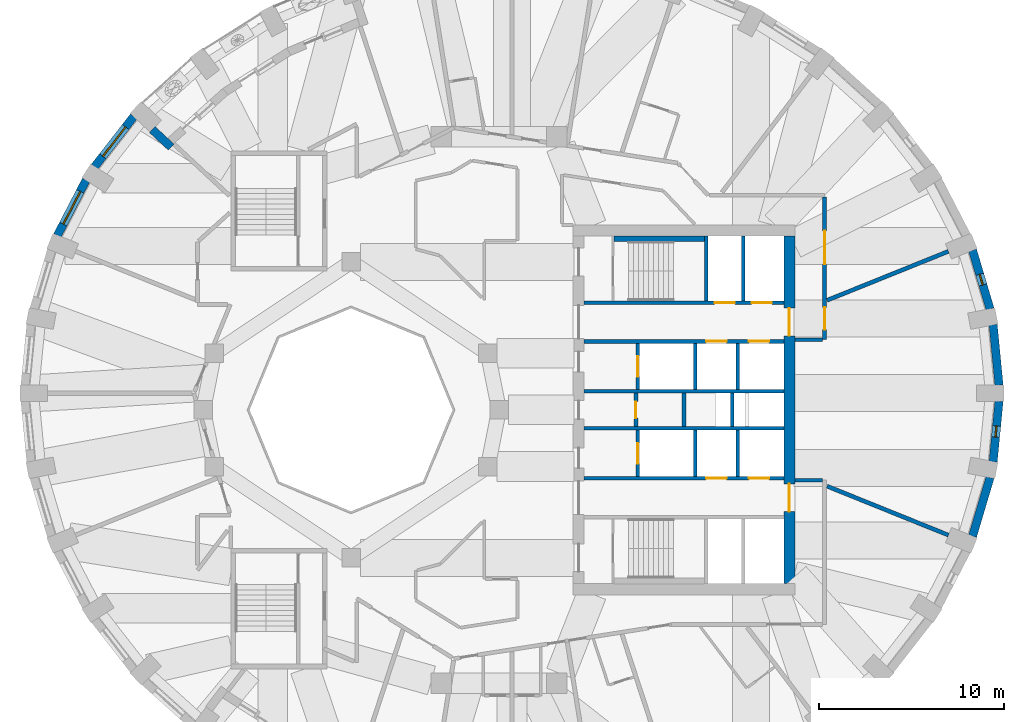
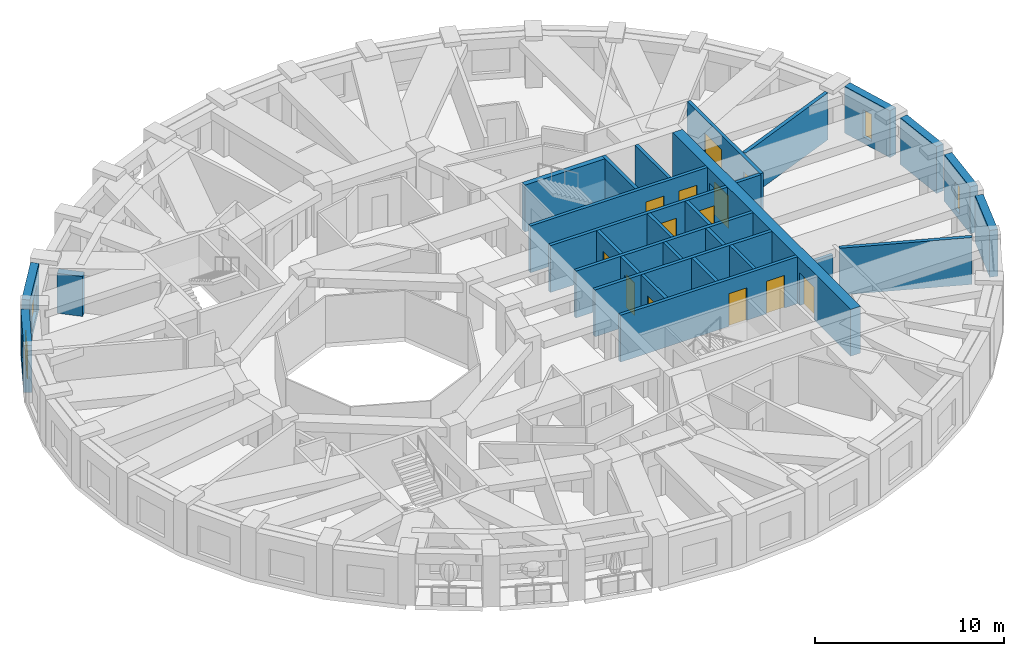
# One storey, part 6 of 12: 30 walls, 13 doors, 4 windows, 17 openings.
"""IFC4 building model written with IfcOpenShell, lengths in metres."""

from ifc_helpers import new_model, si_unit, direction, frame, frame_2d, origin, place, context, subcontext, project, spatial, rectangle, extrude, material, layer, layer_set, type_object, element, fill, save


model = new_model("IFC4")

# Units and contexts
model_context = context("Model", 3, precision=1e-05, world=origin(), true_north=direction((0.0, 1.0)))
body_context = subcontext(model_context, "Body", "Model", "MODEL_VIEW")
ifc_project = project(units=[si_unit("LENGTHUNIT", "METRE"), si_unit("AREAUNIT", "SQUARE_METRE"), si_unit("VOLUMEUNIT", "CUBIC_METRE"), si_unit("PLANEANGLEUNIT", "RADIAN"), si_unit("MASSUNIT", "GRAM", prefix="KILO")], contexts=[model_context])

# Site, building, storey
site_placement = place(None, origin())
site = spatial("IfcSite", under=ifc_project, at=site_placement, CompositionType="ELEMENT")
building_placement = place(site_placement, origin())
building = spatial("IfcBuilding", under=site, at=building_placement, Name="Taillehof Tower", CompositionType="ELEMENT")
storey_placement = place(building_placement, frame((0.0, 0.0, 212.300048828125)))
storey = spatial("IfcBuildingStorey", under=building, at=storey_placement, Name="L60", CompositionType="ELEMENT", Elevation=212.300048828125)

# Wall
ifc_material_1 = material(Name="Brick masonry", Category="masonry")
ifc_layer_1 = layer(ifc_material_1, 0.449951171875)
ifc_layer_set_1 = layer_set([ifc_layer_1], Name="Brick infill wall 450")
wall_type_1 = type_object("IfcWallType", Name="Brick infill wall 450", PredefinedType="SOLIDWALL", material=ifc_layer_set_1)
wall_1_placement = place(storey_placement, frame((27.0322265625, 1.330078125, 0.0), z_axis=(0.0, 0.0, 1.0), x_axis=(-0.096824116835, 0.995301507283, 0.0)))
element("IfcWall", 1, at=wall_1_placement, inside=storey, type_object=wall_type_1, Name="Brick wall L60 bay 1", PredefinedType="SOLIDWALL", context=body_context, shape_type="SweptSolid", body=[
    extrude(rectangle(XDim=3.29296875, YDim=0.449951171875, at=frame_2d((1.646484375, 0.0))), origin(), (0.0, 0.0, 1.0), 3.02001953125),
])

# Wall, opening, window
wall_2_placement = place(storey_placement, frame((26.548095703125, 5.451904296875, 0.0), z_axis=(0.0, 0.0, 1.0), x_axis=(-0.285444972963, 0.958395099847, 0.0)))
wall_2 = element("IfcWall", 2, at=wall_2_placement, inside=storey, type_object=wall_type_1, Name="Brick wall L60 bay 2", PredefinedType="SOLIDWALL", context=body_context, shape_type="SweptSolid", body=[
    extrude(rectangle(XDim=3.3203125, YDim=0.449951171875, at=frame_2d((1.66015625, 0.0))), origin(), (0.0, 0.0, 1.0), 3.02001953125),
])
opening_1_placement = place(wall_2_placement, frame((1.360107421875, 0.0, 0.39990234375)))
opening_1 = element("IfcOpeningElement", 3, at=opening_1_placement, cuts=wall_2, Name="Opening W6", PredefinedType="OPENING", context=body_context, shape_type="SweptSolid", body=[
    extrude(rectangle(XDim=0.60009765625, YDim=1.75, at=frame_2d((0.300048828125, 0.875))), frame((0.0, 0.23486328125, 0.0), z_axis=(0.0, -1.0, 0.0), x_axis=(1.0, 0.0, 0.0)), (0.0, 0.0, 1.0), 0.469970703125),
])
ifc_material_2 = material(Name="Aluminium window frame with clear double glazing", Category="aluminium")
window_type_1 = type_object("IfcWindowType", Name="Slot window 600x1750", PartitioningType="SINGLE_PANEL", PredefinedType="WINDOW", material=ifc_material_2)
window_1_placement = place(opening_1_placement, origin())
window_1 = element("IfcWindow", 4, at=window_1_placement, inside=storey, type_object=window_type_1, Name="W6", OverallHeight=1.75, OverallWidth=0.60009765625, PartitioningType="SINGLE_PANEL", PredefinedType="WINDOW", context=body_context, shape_type="SweptSolid", body=[
    extrude(rectangle(XDim=0.60009765625, YDim=1.75, at=frame_2d((0.300048828125, 0.875))), frame((0.0, 0.034912109375, 0.0), z_axis=(0.0, -1.0, 0.0), x_axis=(1.0, 0.0, 0.0)), (0.0, 0.0, 1.0), 0.06005859375),
])
fill(opening_1, window_1)

wall_3_placement = place(storey_placement, frame((-19.751220703125, 15.861083984375, 0.0), z_axis=(0.0, 0.0, 1.0), x_axis=(-0.614220816451, -0.789134201919, 0.0)))
wall_3 = element("IfcWall", 5, at=wall_3_placement, inside=storey, type_object=wall_type_1, Name="Brick wall L60 bay 15", PredefinedType="SOLIDWALL", context=body_context, shape_type="SweptSolid", body=[
    extrude(rectangle(XDim=3.437744140625, YDim=0.449951171875, at=frame_2d((1.71875, 0.0))), origin(), (0.0, 0.0, 1.0), 3.02001953125),
])
opening_2_placement = place(wall_3_placement, frame((0.71875, 0.0, 0.39990234375)))
opening_2 = element("IfcOpeningElement", 6, at=opening_2_placement, cuts=wall_3, Name="Opening W2", PredefinedType="OPENING", context=body_context, shape_type="SweptSolid", body=[
    extrude(rectangle(XDim=2.0, YDim=1.75, at=frame_2d((1.0, 0.875))), frame((0.0, 0.23486328125, 0.0), z_axis=(0.0, -1.0, 0.0), x_axis=(1.0, 0.0, 0.0)), (0.0, 0.0, 1.0), 0.469970703125),
])
ifc_material_3 = material(Name="Aluminium window frame with clear double glazing", Category="aluminium")
window_type_2 = type_object("IfcWindowType", Name="Deep-set window 2000x1750", PartitioningType="SINGLE_PANEL", PredefinedType="WINDOW", material=ifc_material_3)
window_2_placement = place(opening_2_placement, origin())
window_2 = element("IfcWindow", 7, at=window_2_placement, inside=storey, type_object=window_type_2, Name="W2", OverallHeight=1.75, OverallWidth=2.0, PartitioningType="SINGLE_PANEL", PredefinedType="WINDOW", context=body_context, shape_type="SweptSolid", body=[
    extrude(rectangle(XDim=2.0, YDim=1.75, at=frame_2d((1.0, 0.875))), frame((0.0, 0.034912109375, 0.0), z_axis=(0.0, -1.0, 0.0), x_axis=(1.0, 0.0, 0.0)), (0.0, 0.0, 1.0), 0.06005859375),
])
fill(opening_2, window_2)

wall_4_placement = place(storey_placement, frame((-22.326904296875, 12.424072265625, 0.0), z_axis=(0.0, 0.0, 1.0), x_axis=(-0.460232593174, -0.887798378113, 0.0)))
wall_4 = element("IfcWall", 8, at=wall_4_placement, inside=storey, type_object=wall_type_1, Name="Brick wall L60 bay 16", PredefinedType="SOLIDWALL", context=body_context, shape_type="SweptSolid", body=[
    extrude(rectangle(XDim=3.37060546875, YDim=0.449951171875, at=frame_2d((1.685302734375, 0.0))), origin(), (0.0, 0.0, 1.0), 3.02001953125),
])
opening_3_placement = place(wall_4_placement, frame((0.685302734375, 0.0, 0.39990234375)))
opening_3 = element("IfcOpeningElement", 9, at=opening_3_placement, cuts=wall_4, Name="Opening W2", PredefinedType="OPENING", context=body_context, shape_type="SweptSolid", body=[
    extrude(rectangle(XDim=2.0, YDim=1.75, at=frame_2d((1.0, 0.875))), frame((0.0, 0.23486328125, 0.0), z_axis=(0.0, -1.0, 0.0), x_axis=(1.0, 0.0, 0.0)), (0.0, 0.0, 1.0), 0.469970703125),
])
window_3_placement = place(opening_3_placement, origin())
window_3 = element("IfcWindow", 10, at=window_3_placement, inside=storey, type_object=window_type_2, Name="W2", OverallHeight=1.75, OverallWidth=2.0, PartitioningType="SINGLE_PANEL", PredefinedType="WINDOW", context=body_context, shape_type="SweptSolid", body=[
    extrude(rectangle(XDim=2.0, YDim=1.75, at=frame_2d((1.0, 0.875))), frame((0.0, 0.034912109375, 0.0), z_axis=(0.0, -1.0, 0.0), x_axis=(1.0, 0.0, 0.0)), (0.0, 0.0, 1.0), 0.06005859375),
])
fill(opening_3, window_3)

# Wall
wall_5_placement = place(storey_placement, frame((25.600341796875, -6.833984375, 0.0), z_axis=(0.0, 0.0, 1.0), x_axis=(0.285444972963, 0.958395099847, 0.0)))
element("IfcWall", 11, at=wall_5_placement, inside=storey, type_object=wall_type_1, Name="Brick wall L60 bay 35", PredefinedType="SOLIDWALL", context=body_context, shape_type="SweptSolid", body=[
    extrude(rectangle(XDim=3.3203125, YDim=0.449951171875, at=frame_2d((1.66015625, 0.0))), origin(), (0.0, 0.0, 1.0), 3.02001953125),
])

# Wall, opening, window
wall_6_placement = place(storey_placement, frame((26.71337890625, -2.807861328125, 0.0), z_axis=(0.0, 0.0, 1.0), x_axis=(0.096816972749, 0.995302202242, 0.0)))
wall_6 = element("IfcWall", 12, at=wall_6_placement, inside=storey, type_object=wall_type_1, Name="Brick wall L60 bay 36", PredefinedType="SOLIDWALL", context=body_context, shape_type="SweptSolid", body=[
    extrude(rectangle(XDim=3.293212890625, YDim=0.449951171875, at=frame_2d((1.646484375, 0.0))), origin(), (0.0, 0.0, 1.0), 3.02001953125),
])
opening_4_placement = place(wall_6_placement, frame((1.3466796875, 0.0, 0.39990234375)))
opening_4 = element("IfcOpeningElement", 13, at=opening_4_placement, cuts=wall_6, Name="Opening W6", PredefinedType="OPENING", context=body_context, shape_type="SweptSolid", body=[
    extrude(rectangle(XDim=0.60009765625, YDim=1.75, at=frame_2d((0.300048828125, 0.875))), frame((0.0, 0.23486328125, 0.0), z_axis=(0.0, -1.0, 0.0), x_axis=(1.0, 0.0, 0.0)), (0.0, 0.0, 1.0), 0.469970703125),
])
window_4_placement = place(opening_4_placement, origin())
window_4 = element("IfcWindow", 14, at=window_4_placement, inside=storey, type_object=window_type_1, Name="W6", OverallHeight=1.75, OverallWidth=0.60009765625, PartitioningType="SINGLE_PANEL", PredefinedType="WINDOW", context=body_context, shape_type="SweptSolid", body=[
    extrude(rectangle(XDim=0.60009765625, YDim=1.75, at=frame_2d((0.300048828125, 0.875))), frame((0.0, 0.034912109375, 0.0), z_axis=(0.0, -1.0, 0.0), x_axis=(1.0, 0.0, 0.0)), (0.0, 0.0, 1.0), 0.06005859375),
])
fill(opening_4, window_4)

# Wall
wall_7_placement = place(storey_placement, frame((-18.7470703125, 15.15478515625, 0.0), z_axis=(0.0, 0.0, 1.0), x_axis=(0.732349544388, -0.680928883831, 0.0)))
element("IfcWall", 15, at=wall_7_placement, inside=storey, type_object=wall_type_1, Name="Brick reveal L60 pocket 3", PredefinedType="SOLIDWALL", context=body_context, shape_type="SweptSolid", body=[
    extrude(rectangle(XDim=1.39111328125, YDim=0.449951171875, at=frame_2d((0.695556640625, 0.0))), origin(), (0.0, 0.0, 1.0), 2.570068359375),
])

# Wall, opening, door
ifc_material_4 = material(Name="Calcium silicate masonry", Category="masonry")
ifc_layer_2 = layer(ifc_material_4, 0.199951171875)
ifc_layer_set_2 = layer_set([ifc_layer_2], Name="Compartment wall calcium silicate 200")
wall_type_2 = type_object("IfcWallType", Name="Compartment wall calcium silicate 200", PredefinedType="PARTITIONING", material=ifc_layer_set_2)
wall_8_placement = place(storey_placement, frame((7.39990234375, -0.89990234375, 0.0), z_axis=(0.0, 0.0, 1.0), x_axis=(0.0, 1.0, 0.0)))
wall_8 = element("IfcWall", 16, at=wall_8_placement, inside=storey, type_object=wall_type_2, Name="Compartment wall FW", PredefinedType="PARTITIONING", context=body_context, shape_type="SweptSolid", body=[
    extrude(rectangle(XDim=1.7998046875, YDim=0.199951171875, at=frame_2d((0.89990234375, 0.0))), origin(), (0.0, 0.0, 1.0), 3.02001953125),
])
opening_5_placement = place(wall_8_placement, frame((0.449951171875, 0.0, 0.0)))
opening_5 = element("IfcOpeningElement", 17, at=opening_5_placement, cuts=wall_8, Name="Opening D6014", PredefinedType="OPENING", context=body_context, shape_type="SweptSolid", body=[
    extrude(rectangle(XDim=0.89990234375, YDim=2.10009765625, at=frame_2d((0.449951171875, 1.050048828125))), frame((0.0, 0.10986328125, 0.0), z_axis=(0.0, -1.0, 0.0), x_axis=(1.0, 0.0, 0.0)), (0.0, 0.0, 1.0), 0.219970703125),
])
ifc_material_5 = material(Name="Steel-faced fire door", Category="steel")
door_type_1 = type_object("IfcDoorType", Name="Riser and service room door 900x2100", OperationType="SINGLE_SWING_LEFT", PredefinedType="DOOR", material=ifc_material_5)
door_1_placement = place(opening_5_placement, origin())
door_1 = element("IfcDoor", 18, at=door_1_placement, inside=storey, type_object=door_type_1, Name="Door Housekeeping Store", OperationType="SINGLE_SWING_RIGHT", OverallHeight=2.10009765625, OverallWidth=0.89990234375, PredefinedType="DOOR", context=body_context, shape_type="SweptSolid", body=[
    extrude(rectangle(XDim=0.89990234375, YDim=2.10009765625, at=frame_2d((0.449951171875, 1.050048828125))), frame((0.0, 0.02490234375, 0.0), z_axis=(0.0, -1.0, 0.0), x_axis=(1.0, 0.0, 0.0)), (0.0, 0.0, 1.0), 0.050048828125),
])
fill(opening_5, door_1)

# Walls
for number, where, z_axis, x_axis, name in (
    (19, (10.0, -0.89990234375, 0.0), (0.0, 0.0, 1.0), (0.0, 1.0, 0.0), "Compartment wall FW"),
    (20, (12.60009765625, -0.89990234375, 0.0), (0.0, 0.0, 1.0), (0.0, 1.0, 0.0), "Compartment wall FW"),
):
    element("IfcWall", number, at=place(storey_placement, frame(where, z_axis=z_axis, x_axis=x_axis)), inside=storey, type_object=wall_type_2, Name=name, PredefinedType="PARTITIONING", context=body_context, shape_type="SweptSolid", body=[
        extrude(rectangle(XDim=1.7998046875, YDim=0.199951171875, at=frame_2d((0.89990234375, 0.0))), origin(), (0.0, 0.0, 1.0), 3.02001953125),
    ])

# Wall, openings, doors
ifc_material_6 = material(Name="Gypsum board on steel studs, two layers each side", Category="steel")
ifc_layer_3 = layer(ifc_material_6, 0.199951171875)
ifc_layer_set_3 = layer_set([ifc_layer_3], Name="Compartment wall corridor 200")
wall_type_3 = type_object("IfcWallType", Name="Compartment wall corridor 200", PredefinedType="PARTITIONING", material=ifc_layer_set_3)
wall_9_placement = place(storey_placement, frame((17.60009765625, 11.5, 0.0), z_axis=(0.0, 0.0, 1.0), x_axis=(0.0, -1.0, 0.0)))
wall_9 = element("IfcWall", 21, at=wall_9_placement, inside=storey, type_object=wall_type_3, Name="Compartment wall", PredefinedType="PARTITIONING", context=body_context, shape_type="SweptSolid", body=[
    extrude(rectangle(XDim=7.699951171875, YDim=0.199951171875, at=frame_2d((3.85009765625, 0.0))), origin(), (0.0, 0.0, 1.0), 3.02001953125),
])
opening_6_placement = place(wall_9_placement, frame((5.959228515625, 0.0, 0.0)))
opening_6 = element("IfcOpeningElement", 22, at=opening_6_placement, cuts=wall_9, Name="Opening D6063", PredefinedType="OPENING", context=body_context, shape_type="SweptSolid", body=[
    extrude(rectangle(XDim=1.199951171875, YDim=2.10009765625, at=frame_2d((0.60009765625, 1.050048828125))), frame((0.0, 0.10986328125, 0.0), z_axis=(0.0, -1.0, 0.0), x_axis=(1.0, 0.0, 0.0)), (0.0, 0.0, 1.0), 0.219970703125),
])
opening_7_placement = place(wall_9_placement, frame((1.8154296875, 0.0, 0.0)))
opening_7 = element("IfcOpeningElement", 23, at=opening_7_placement, cuts=wall_9, Name="Opening D6064", PredefinedType="OPENING", context=body_context, shape_type="SweptSolid", body=[
    extrude(rectangle(XDim=1.800048828125, YDim=2.10009765625, at=frame_2d((0.89990234375, 1.050048828125))), frame((0.0, 0.10986328125, 0.0), z_axis=(0.0, -1.0, 0.0), x_axis=(1.0, 0.0, 0.0)), (0.0, 0.0, 1.0), 0.219970703125),
])
ifc_material_7 = material(Name="Timber door leaf in steel frame", Category="steel")
door_type_2 = type_object("IfcDoorType", Name="Lounge and meeting room double door EI 30 1800 x 2100", OperationType="SINGLE_SWING_LEFT", PredefinedType="DOOR", material=ifc_material_7)
door_2_placement = place(opening_7_placement, origin())
door_2 = element("IfcDoor", 24, at=door_2_placement, inside=storey, type_object=door_type_2, Name="D6064", OperationType="DOUBLE_DOOR_SINGLE_SWING", OverallHeight=2.10009765625, OverallWidth=1.800048828125, PredefinedType="DOOR", context=body_context, shape_type="SweptSolid", body=[
    extrude(rectangle(XDim=1.800048828125, YDim=2.10009765625, at=frame_2d((0.89990234375, 1.050048828125))), frame((0.0, 0.02490234375, 0.0), z_axis=(0.0, -1.0, 0.0), x_axis=(1.0, 0.0, 0.0)), (0.0, 0.0, 1.0), 0.050048828125),
])
fill(opening_7, door_2)
ifc_material_8 = material(Name="Timber door leaf in steel frame", Category="steel")
door_type_3 = type_object("IfcDoorType", Name="Suite entrance door EI 30 1200 x 2100", OperationType="SINGLE_SWING_LEFT", PredefinedType="DOOR", material=ifc_material_8)
door_3_placement = place(opening_6_placement, origin())
door_3 = element("IfcDoor", 25, at=door_3_placement, inside=storey, type_object=door_type_3, Name="D6063", OperationType="SINGLE_SWING_LEFT", OverallHeight=2.10009765625, OverallWidth=1.199951171875, PredefinedType="DOOR", context=body_context, shape_type="SweptSolid", body=[
    extrude(rectangle(XDim=1.199951171875, YDim=2.10009765625, at=frame_2d((0.60009765625, 1.050048828125))), frame((0.0, 0.02490234375, 0.0), z_axis=(0.0, -1.0, 0.0), x_axis=(1.0, 0.0, 0.0)), (0.0, 0.0, 1.0), 0.050048828125),
])
fill(opening_6, door_3)

# Walls
wall_10_placement = place(storey_placement, frame((17.5, 3.800048828125, 0.0), z_axis=(0.0, 0.0, 1.0), x_axis=(-1.0, 0.0, 0.0)))
element("IfcWall", 26, at=wall_10_placement, inside=storey, type_object=wall_type_3, Name="Compartment wall", PredefinedType="PARTITIONING", context=body_context, shape_type="SweptSolid", body=[
    extrude(rectangle(XDim=1.49609375, YDim=0.199951171875, at=frame_2d((0.748046875, 0.0))), origin(), (0.0, 0.0, 1.0), 3.02001953125),
])
wall_11_placement = place(storey_placement, frame((16.00390625, -3.800048828125, 0.0), z_axis=(0.0, 0.0, 1.0), x_axis=(1.0, 0.0, 0.0)))
element("IfcWall", 27, at=wall_11_placement, inside=storey, type_object=wall_type_3, Name="Compartment wall", PredefinedType="PARTITIONING", context=body_context, shape_type="SweptSolid", body=[
    extrude(rectangle(XDim=1.49609375, YDim=0.199951171875, at=frame_2d((0.748046875, 0.0))), origin(), (0.0, 0.0, 1.0), 2.469970703125),
])
ifc_material_9 = material(Name="Gypsum board on double steel studs with mineral wool", Category="steel")
ifc_layer_4 = layer(ifc_material_9, 0.219970703125)
ifc_layer_set_4 = layer_set([ifc_layer_4], Name="Compartment wall guest room 220")
wall_type_4 = type_object("IfcWallType", Name="Compartment wall guest room 220", PredefinedType="PARTITIONING", material=ifc_layer_set_4)
wall_12_placement = place(storey_placement, frame((24.29541015625, 8.5712890625, 0.0), z_axis=(0.0, 0.0, 1.0), x_axis=(-0.927386999215, -0.374103399728, 0.0)))
element("IfcWall", 28, at=wall_12_placement, inside=storey, type_object=wall_type_4, Name="Compartment wall", PredefinedType="PARTITIONING", context=body_context, shape_type="SweptSolid", body=[
    extrude(rectangle(XDim=7.071533203125, YDim=0.219970703125, at=frame_2d((3.53564453125, 0.0))), origin(), (0.0, 0.0, 1.0), 3.02001953125),
])
wall_13_placement = place(storey_placement, frame((24.29541015625, -6.771484375, 0.0), z_axis=(0.0, 0.0, 1.0), x_axis=(-0.927375021142, 0.374133091509, 0.0)))
element("IfcWall", 29, at=wall_13_placement, inside=storey, type_object=wall_type_4, Name="Compartment wall", PredefinedType="PARTITIONING", context=body_context, shape_type="SweptSolid", body=[
    extrude(rectangle(XDim=7.07177734375, YDim=0.219970703125, at=frame_2d((3.535888671875, 0.0))), origin(), (0.0, 0.0, 1.0), 3.02001953125),
])
ifc_material_10 = material(Name="Calcium silicate masonry", Category="masonry")
ifc_layer_5 = layer(ifc_material_10, 0.300048828125)
ifc_layer_set_5 = layer_set([ifc_layer_5], Name="Compartment wall lining calcium silicate 300")
wall_type_5 = type_object("IfcWallType", Name="Compartment wall lining calcium silicate 300", PredefinedType="PARTITIONING", material=ifc_layer_set_5)
wall_14_placement = place(storey_placement, frame((6.219970703125, 9.25, 0.0), z_axis=(0.0, 0.0, 1.0), x_axis=(1.0, 0.0, 0.0)))
element("IfcWall", 30, at=wall_14_placement, inside=storey, type_object=wall_type_5, Name="Compartment wall FW", PredefinedType="PARTITIONING", context=body_context, shape_type="SweptSolid", body=[
    extrude(rectangle(XDim=4.880126953125, YDim=0.300048828125, at=frame_2d((2.43994140625, 0.0))), origin(), (0.0, 0.0, 1.0), 3.02001953125),
])

# Wall, openings, doors
ifc_material_11 = material(Name="Concrete C80/95", Category="concrete")
ifc_layer_6 = layer(ifc_material_11, 0.60009765625)
ifc_layer_set_6 = layer_set([ifc_layer_6], Name="Core wall C80/95 600")
wall_type_6 = type_object("IfcWallType", Name="Core wall C80/95 600", PredefinedType="SHEAR", material=ifc_layer_set_6)
wall_15_placement = place(storey_placement, frame((15.699951171875, -9.39990234375, 0.0), z_axis=(0.0, 0.0, 1.0), x_axis=(0.0, 1.0, 0.0)))
wall_15 = element("IfcWall", 31, at=wall_15_placement, inside=storey, type_object=wall_type_6, Name="Core wall CW05", PredefinedType="SHEAR", context=body_context, shape_type="SweptSolid", body=[
    extrude(rectangle(XDim=18.7998046875, YDim=0.60009765625, at=frame_2d((9.39990234375, 0.0))), origin(), (0.0, 0.0, 1.0), 3.02001953125),
])
opening_8_placement = place(wall_15_placement, frame((13.39990234375, 0.0, 0.0)))
opening_8 = element("IfcOpeningElement", 32, at=opening_8_placement, cuts=wall_15, Name="Opening D6008", PredefinedType="OPENING", context=body_context, shape_type="SweptSolid", body=[
    extrude(rectangle(XDim=1.5, YDim=2.10009765625, at=frame_2d((0.75, 1.050048828125))), frame((0.0, 0.31005859375, 0.0), z_axis=(0.0, -1.0, 0.0), x_axis=(1.0, 0.0, 0.0)), (0.0, 0.0, 1.0), 0.6201171875),
])
opening_9_placement = place(wall_15_placement, frame((3.89990234375, 0.0, 0.0)))
opening_9 = element("IfcOpeningElement", 33, at=opening_9_placement, cuts=wall_15, Name="Opening D6009", PredefinedType="OPENING", context=body_context, shape_type="SweptSolid", body=[
    extrude(rectangle(XDim=1.5, YDim=2.10009765625, at=frame_2d((0.75, 1.050048828125))), frame((0.0, 0.31005859375, 0.0), z_axis=(0.0, -1.0, 0.0), x_axis=(1.0, 0.0, 0.0)), (0.0, 0.0, 1.0), 0.6201171875),
])
ifc_material_12 = material(Name="Steel-faced fire door", Category="steel")
door_type_4 = type_object("IfcDoorType", Name="Lift lobby east door 1500x2100", OperationType="DOUBLE_DOOR_SINGLE_SWING", PredefinedType="DOOR", material=ifc_material_12)
door_4_placement = place(opening_8_placement, origin())
door_4 = element("IfcDoor", 34, at=door_4_placement, inside=storey, type_object=door_type_4, Name="Lift lobby east door north", OperationType="DOUBLE_DOOR_SINGLE_SWING", OverallHeight=2.10009765625, OverallWidth=1.5, PredefinedType="DOOR", context=body_context, shape_type="SweptSolid", body=[
    extrude(rectangle(XDim=1.5, YDim=2.10009765625, at=frame_2d((0.75, 1.050048828125))), frame((0.0, 0.02490234375, 0.0), z_axis=(0.0, -1.0, 0.0), x_axis=(1.0, 0.0, 0.0)), (0.0, 0.0, 1.0), 0.050048828125),
])
fill(opening_8, door_4)
door_5_placement = place(opening_9_placement, origin())
door_5 = element("IfcDoor", 35, at=door_5_placement, inside=storey, type_object=door_type_4, Name="Lift lobby east door south", OperationType="DOUBLE_DOOR_SINGLE_SWING", OverallHeight=2.10009765625, OverallWidth=1.5, PredefinedType="DOOR", context=body_context, shape_type="SweptSolid", body=[
    extrude(rectangle(XDim=1.5, YDim=2.10009765625, at=frame_2d((0.75, 1.050048828125))), frame((0.0, 0.02490234375, 0.0), z_axis=(0.0, -1.0, 0.0), x_axis=(1.0, 0.0, 0.0)), (0.0, 0.0, 1.0), 0.050048828125),
])
fill(opening_9, door_5)

ifc_material_13 = material(Name="Concrete C50/60", Category="concrete")
ifc_layer_7 = layer(ifc_material_13, 0.199951171875)
ifc_layer_set_7 = layer_set([ifc_layer_7], Name="Shaft wall C50/60 200")
wall_type_7 = type_object("IfcWallType", Name="Shaft wall C50/60 200", PredefinedType="SHEAR", material=ifc_layer_set_7)
wall_16_placement = place(storey_placement, frame((4.60009765625, 5.800048828125, 0.0), z_axis=(0.0, 0.0, 1.0), x_axis=(1.0, 0.0, 0.0)))
wall_16 = element("IfcWall", 36, at=wall_16_placement, inside=storey, type_object=wall_type_7, Name="Shaft wall SW", PredefinedType="SHEAR", context=body_context, shape_type="SweptSolid", body=[
    extrude(rectangle(XDim=10.7998046875, YDim=0.199951171875, at=frame_2d((5.39990234375, 0.0))), origin(), (0.0, 0.0, 1.0), 3.02001953125),
])
opening_10_placement = place(wall_16_placement, frame((7.050048828125, 0.0, 0.0)))
opening_10 = element("IfcOpeningElement", 37, at=opening_10_placement, cuts=wall_16, Name="Opening LD1", PredefinedType="OPENING", context=body_context, shape_type="SweptSolid", body=[
    extrude(rectangle(XDim=1.10009765625, YDim=2.10009765625, at=frame_2d((0.550048828125, 1.050048828125))), frame((0.0, 0.10986328125, 0.0), z_axis=(0.0, -1.0, 0.0), x_axis=(1.0, 0.0, 0.0)), (0.0, 0.0, 1.0), 0.219970703125),
])
opening_11_placement = place(wall_16_placement, frame((9.050048828125, 0.0, 0.0)))
opening_11 = element("IfcOpeningElement", 38, at=opening_11_placement, cuts=wall_16, Name="Opening LD1", PredefinedType="OPENING", context=body_context, shape_type="SweptSolid", body=[
    extrude(rectangle(XDim=1.10009765625, YDim=2.10009765625, at=frame_2d((0.550048828125, 1.050048828125))), frame((0.0, 0.10986328125, 0.0), z_axis=(0.0, -1.0, 0.0), x_axis=(1.0, 0.0, 0.0)), (0.0, 0.0, 1.0), 0.219970703125),
])
ifc_material_14 = material(Name="Stainless steel", Category="steel")
door_type_5 = type_object("IfcDoorType", Name="Lift landing door LD1 1100x2100", OperationType="DOUBLE_DOOR_SLIDING", PredefinedType="DOOR", material=ifc_material_14)
door_6_placement = place(opening_10_placement, origin())
door_6 = element("IfcDoor", 39, at=door_6_placement, inside=storey, type_object=door_type_5, Name="Landing door HR1", OperationType="DOUBLE_DOOR_SLIDING", OverallHeight=2.10009765625, OverallWidth=1.10009765625, PredefinedType="DOOR", context=body_context, shape_type="SweptSolid", body=[
    extrude(rectangle(XDim=1.10009765625, YDim=2.10009765625, at=frame_2d((0.550048828125, 1.050048828125))), frame((0.0, 0.02490234375, 0.0), z_axis=(0.0, -1.0, 0.0), x_axis=(1.0, 0.0, 0.0)), (0.0, 0.0, 1.0), 0.050048828125),
])
fill(opening_10, door_6)
door_7_placement = place(opening_11_placement, origin())
door_7 = element("IfcDoor", 40, at=door_7_placement, inside=storey, type_object=door_type_5, Name="Landing door HR2", OperationType="DOUBLE_DOOR_SLIDING", OverallHeight=2.10009765625, OverallWidth=1.10009765625, PredefinedType="DOOR", context=body_context, shape_type="SweptSolid", body=[
    extrude(rectangle(XDim=1.10009765625, YDim=2.10009765625, at=frame_2d((0.550048828125, 1.050048828125))), frame((0.0, 0.02490234375, 0.0), z_axis=(0.0, -1.0, 0.0), x_axis=(1.0, 0.0, 0.0)), (0.0, 0.0, 1.0), 0.050048828125),
])
fill(opening_11, door_7)

wall_17_placement = place(storey_placement, frame((4.60009765625, 3.699951171875, 0.0), z_axis=(0.0, 0.0, 1.0), x_axis=(1.0, 0.0, 0.0)))
wall_17 = element("IfcWall", 41, at=wall_17_placement, inside=storey, type_object=wall_type_7, Name="Shaft wall SW", PredefinedType="SHEAR", context=body_context, shape_type="SweptSolid", body=[
    extrude(rectangle(XDim=10.7998046875, YDim=0.199951171875, at=frame_2d((5.39990234375, 0.0))), origin(), (0.0, 0.0, 1.0), 3.02001953125),
])
opening_12_placement = place(wall_17_placement, frame((6.60009765625, 0.0, 0.0)))
opening_12 = element("IfcOpeningElement", 42, at=opening_12_placement, cuts=wall_17, Name="Opening LD1", PredefinedType="OPENING", context=body_context, shape_type="SweptSolid", body=[
    extrude(rectangle(XDim=1.10009765625, YDim=2.10009765625, at=frame_2d((0.550048828125, 1.050048828125))), frame((0.0, 0.10986328125, 0.0), z_axis=(0.0, -1.0, 0.0), x_axis=(1.0, 0.0, 0.0)), (0.0, 0.0, 1.0), 0.219970703125),
])
opening_13_placement = place(wall_17_placement, frame((8.89990234375, 0.0, 0.0)))
opening_13 = element("IfcOpeningElement", 43, at=opening_13_placement, cuts=wall_17, Name="Opening LD1", PredefinedType="OPENING", context=body_context, shape_type="SweptSolid", body=[
    extrude(rectangle(XDim=1.10009765625, YDim=2.10009765625, at=frame_2d((0.550048828125, 1.050048828125))), frame((0.0, 0.10986328125, 0.0), z_axis=(0.0, -1.0, 0.0), x_axis=(1.0, 0.0, 0.0)), (0.0, 0.0, 1.0), 0.219970703125),
])
door_8_placement = place(opening_12_placement, origin())
door_8 = element("IfcDoor", 44, at=door_8_placement, inside=storey, type_object=door_type_5, Name="Landing door HR3", OperationType="DOUBLE_DOOR_SLIDING", OverallHeight=2.10009765625, OverallWidth=1.10009765625, PredefinedType="DOOR", context=body_context, shape_type="SweptSolid", body=[
    extrude(rectangle(XDim=1.10009765625, YDim=2.10009765625, at=frame_2d((0.550048828125, 1.050048828125))), frame((0.0, 0.02490234375, 0.0), z_axis=(0.0, -1.0, 0.0), x_axis=(1.0, 0.0, 0.0)), (0.0, 0.0, 1.0), 0.050048828125),
])
fill(opening_12, door_8)
door_9_placement = place(opening_13_placement, origin())
door_9 = element("IfcDoor", 45, at=door_9_placement, inside=storey, type_object=door_type_5, Name="Landing door HR4", OperationType="DOUBLE_DOOR_SLIDING", OverallHeight=2.10009765625, OverallWidth=1.10009765625, PredefinedType="DOOR", context=body_context, shape_type="SweptSolid", body=[
    extrude(rectangle(XDim=1.10009765625, YDim=2.10009765625, at=frame_2d((0.550048828125, 1.050048828125))), frame((0.0, 0.02490234375, 0.0), z_axis=(0.0, -1.0, 0.0), x_axis=(1.0, 0.0, 0.0)), (0.0, 0.0, 1.0), 0.050048828125),
])
fill(opening_13, door_9)

# Walls
for number, where, z_axis, x_axis, name in (
    (46, (4.60009765625, 1.0, 0.0), (0.0, 0.0, 1.0), (1.0, 0.0, 0.0), "Shaft wall SW"),
    (47, (4.60009765625, -1.0, 0.0), (0.0, 0.0, 1.0), (1.0, 0.0, 0.0), "Shaft wall SW"),
):
    element("IfcWall", number, at=place(storey_placement, frame(where, z_axis=z_axis, x_axis=x_axis)), inside=storey, type_object=wall_type_7, Name=name, PredefinedType="SHEAR", context=body_context, shape_type="SweptSolid", body=[
        extrude(rectangle(XDim=10.7998046875, YDim=0.199951171875, at=frame_2d((5.39990234375, 0.0))), origin(), (0.0, 0.0, 1.0), 3.02001953125),
    ])

# Wall, openings, doors
wall_18_placement = place(storey_placement, frame((4.60009765625, -3.699951171875, 0.0), z_axis=(0.0, 0.0, 1.0), x_axis=(1.0, 0.0, 0.0)))
wall_18 = element("IfcWall", 48, at=wall_18_placement, inside=storey, type_object=wall_type_7, Name="Shaft wall SW", PredefinedType="SHEAR", context=body_context, shape_type="SweptSolid", body=[
    extrude(rectangle(XDim=10.7998046875, YDim=0.199951171875, at=frame_2d((5.39990234375, 0.0))), origin(), (0.0, 0.0, 1.0), 3.02001953125),
])
opening_14_placement = place(wall_18_placement, frame((6.60009765625, 0.0, 0.0)))
opening_14 = element("IfcOpeningElement", 49, at=opening_14_placement, cuts=wall_18, Name="Opening LD1", PredefinedType="OPENING", context=body_context, shape_type="SweptSolid", body=[
    extrude(rectangle(XDim=1.10009765625, YDim=2.10009765625, at=frame_2d((0.550048828125, 1.050048828125))), frame((0.0, 0.10986328125, 0.0), z_axis=(0.0, -1.0, 0.0), x_axis=(1.0, 0.0, 0.0)), (0.0, 0.0, 1.0), 0.219970703125),
])
opening_15_placement = place(wall_18_placement, frame((8.89990234375, 0.0, 0.0)))
opening_15 = element("IfcOpeningElement", 50, at=opening_15_placement, cuts=wall_18, Name="Opening LD1", PredefinedType="OPENING", context=body_context, shape_type="SweptSolid", body=[
    extrude(rectangle(XDim=1.10009765625, YDim=2.10009765625, at=frame_2d((0.550048828125, 1.050048828125))), frame((0.0, 0.10986328125, 0.0), z_axis=(0.0, -1.0, 0.0), x_axis=(1.0, 0.0, 0.0)), (0.0, 0.0, 1.0), 0.219970703125),
])
door_10_placement = place(opening_14_placement, origin())
door_10 = element("IfcDoor", 51, at=door_10_placement, inside=storey, type_object=door_type_5, Name="Landing door HR5", OperationType="DOUBLE_DOOR_SLIDING", OverallHeight=2.10009765625, OverallWidth=1.10009765625, PredefinedType="DOOR", context=body_context, shape_type="SweptSolid", body=[
    extrude(rectangle(XDim=1.10009765625, YDim=2.10009765625, at=frame_2d((0.550048828125, 1.050048828125))), frame((0.0, 0.02490234375, 0.0), z_axis=(0.0, -1.0, 0.0), x_axis=(1.0, 0.0, 0.0)), (0.0, 0.0, 1.0), 0.050048828125),
])
fill(opening_14, door_10)
door_11_placement = place(opening_15_placement, origin())
door_11 = element("IfcDoor", 52, at=door_11_placement, inside=storey, type_object=door_type_5, Name="Landing door HR6", OperationType="DOUBLE_DOOR_SLIDING", OverallHeight=2.10009765625, OverallWidth=1.10009765625, PredefinedType="DOOR", context=body_context, shape_type="SweptSolid", body=[
    extrude(rectangle(XDim=1.10009765625, YDim=2.10009765625, at=frame_2d((0.550048828125, 1.050048828125))), frame((0.0, 0.02490234375, 0.0), z_axis=(0.0, -1.0, 0.0), x_axis=(1.0, 0.0, 0.0)), (0.0, 0.0, 1.0), 0.050048828125),
])
fill(opening_15, door_11)

# Walls
for number, where, z_axis, x_axis, name in (
    (53, (11.199951171875, 5.89990234375, 0.0), (0.0, 0.0, 1.0), (0.0, 1.0, 0.0), "Shaft wall SW"),
    (54, (13.199951171875, 5.89990234375, 0.0), (0.0, 0.0, 1.0), (0.0, 1.0, 0.0), "Shaft wall SW"),
):
    element("IfcWall", number, at=place(storey_placement, frame(where, z_axis=z_axis, x_axis=x_axis)), inside=storey, type_object=wall_type_7, Name=name, PredefinedType="SHEAR", context=body_context, shape_type="SweptSolid", body=[
        extrude(rectangle(XDim=3.5, YDim=0.199951171875, at=frame_2d((1.75, 0.0))), origin(), (0.0, 0.0, 1.0), 3.02001953125),
    ])

# Wall, opening, door
wall_19_placement = place(storey_placement, frame((7.5, 1.10009765625, 0.0), z_axis=(0.0, 0.0, 1.0), x_axis=(0.0, 1.0, 0.0)))
wall_19 = element("IfcWall", 55, at=wall_19_placement, inside=storey, type_object=wall_type_7, Name="Shaft wall SW", PredefinedType="SHEAR", context=body_context, shape_type="SweptSolid", body=[
    extrude(rectangle(XDim=2.5, YDim=0.199951171875, at=frame_2d((1.25, 0.0))), origin(), (0.0, 0.0, 1.0), 3.02001953125),
])
opening_16_placement = place(wall_19_placement, frame((0.699951171875, 0.0, 0.0)))
opening_16 = element("IfcOpeningElement", 56, at=opening_16_placement, cuts=wall_19, Name="Opening LD1", PredefinedType="OPENING", context=body_context, shape_type="SweptSolid", body=[
    extrude(rectangle(XDim=1.10009765625, YDim=2.10009765625, at=frame_2d((0.550048828125, 1.050048828125))), frame((0.0, 0.10986328125, 0.0), z_axis=(0.0, -1.0, 0.0), x_axis=(1.0, 0.0, 0.0)), (0.0, 0.0, 1.0), 0.219970703125),
])
door_12_placement = place(opening_16_placement, origin())
door_12 = element("IfcDoor", 57, at=door_12_placement, inside=storey, type_object=door_type_5, Name="Landing door FF1", OperationType="DOUBLE_DOOR_SLIDING", OverallHeight=2.10009765625, OverallWidth=1.10009765625, PredefinedType="DOOR", context=body_context, shape_type="SweptSolid", body=[
    extrude(rectangle(XDim=1.10009765625, YDim=2.10009765625, at=frame_2d((0.550048828125, 1.050048828125))), frame((0.0, 0.02490234375, 0.0), z_axis=(0.0, -1.0, 0.0), x_axis=(1.0, 0.0, 0.0)), (0.0, 0.0, 1.0), 0.050048828125),
])
fill(opening_16, door_12)

wall_20_placement = place(storey_placement, frame((7.5, -3.60009765625, 0.0), z_axis=(0.0, 0.0, 1.0), x_axis=(0.0, 1.0, 0.0)))
wall_20 = element("IfcWall", 58, at=wall_20_placement, inside=storey, type_object=wall_type_7, Name="Shaft wall SW", PredefinedType="SHEAR", context=body_context, shape_type="SweptSolid", body=[
    extrude(rectangle(XDim=2.5, YDim=0.199951171875, at=frame_2d((1.25, 0.0))), origin(), (0.0, 0.0, 1.0), 3.02001953125),
])
opening_17_placement = place(wall_20_placement, frame((0.699951171875, 0.0, 0.0)))
opening_17 = element("IfcOpeningElement", 59, at=opening_17_placement, cuts=wall_20, Name="Opening LD1", PredefinedType="OPENING", context=body_context, shape_type="SweptSolid", body=[
    extrude(rectangle(XDim=1.10009765625, YDim=2.10009765625, at=frame_2d((0.550048828125, 1.050048828125))), frame((0.0, 0.10986328125, 0.0), z_axis=(0.0, -1.0, 0.0), x_axis=(1.0, 0.0, 0.0)), (0.0, 0.0, 1.0), 0.219970703125),
])
door_13_placement = place(opening_17_placement, origin())
door_13 = element("IfcDoor", 60, at=door_13_placement, inside=storey, type_object=door_type_5, Name="Landing door FF2", OperationType="DOUBLE_DOOR_SLIDING", OverallHeight=2.10009765625, OverallWidth=1.10009765625, PredefinedType="DOOR", context=body_context, shape_type="SweptSolid", body=[
    extrude(rectangle(XDim=1.10009765625, YDim=2.10009765625, at=frame_2d((0.550048828125, 1.050048828125))), frame((0.0, 0.02490234375, 0.0), z_axis=(0.0, -1.0, 0.0), x_axis=(1.0, 0.0, 0.0)), (0.0, 0.0, 1.0), 0.050048828125),
])
fill(opening_17, door_13)

# Walls
for number, where, z_axis, x_axis, name in (
    (61, (10.60009765625, 1.10009765625, 0.0), (0.0, 0.0, 1.0), (0.0, 1.0, 0.0), "Shaft wall SW"),
    (62, (10.60009765625, -3.60009765625, 0.0), (0.0, 0.0, 1.0), (0.0, 1.0, 0.0), "Shaft wall SW"),
    (63, (12.89990234375, 1.10009765625, 0.0), (0.0, 0.0, 1.0), (0.0, 1.0, 0.0), "Shaft wall SW"),
    (64, (12.89990234375, -3.60009765625, 0.0), (0.0, 0.0, 1.0), (0.0, 1.0, 0.0), "Shaft wall SW"),
):
    element("IfcWall", number, at=place(storey_placement, frame(where, z_axis=z_axis, x_axis=x_axis)), inside=storey, type_object=wall_type_7, Name=name, PredefinedType="SHEAR", context=body_context, shape_type="SweptSolid", body=[
        extrude(rectangle(XDim=2.5, YDim=0.199951171875, at=frame_2d((1.25, 0.0))), origin(), (0.0, 0.0, 1.0), 3.02001953125),
    ])

save(model, "model.ifc")
